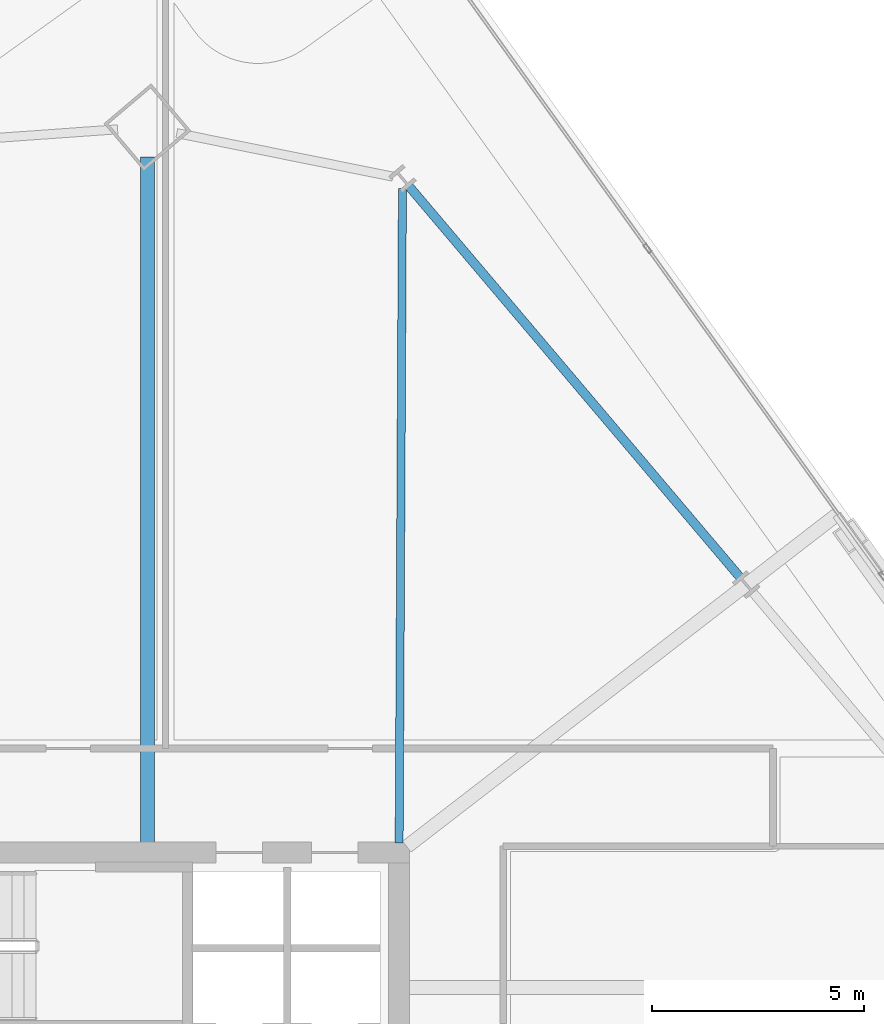
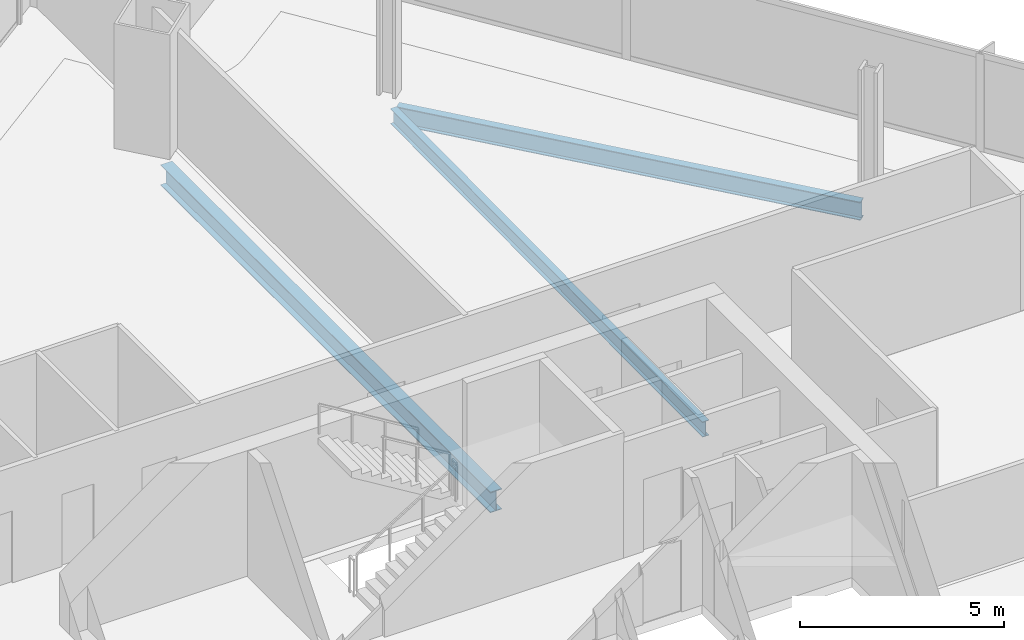
# One storey, part 20 of 33: 3 beams.
"""IFC4 building model written with IfcOpenShell, lengths in metres."""

from ifc_helpers import new_model, si_unit, direction, frame, origin, origin_2d, place, context, subcontext, project, spatial, i_section, extrude, material, material_profile, profile_set, type_object, element, save


model = new_model("IFC4")

# Units and contexts
model_context = context("Model", 3, precision=1e-05, world=origin(), true_north=direction((0.0, 1.0)))
body_context = subcontext(model_context, "Body", "Model", "MODEL_VIEW")
ifc_project = project(units=[si_unit("LENGTHUNIT", "METRE"), si_unit("AREAUNIT", "SQUARE_METRE"), si_unit("VOLUMEUNIT", "CUBIC_METRE"), si_unit("PLANEANGLEUNIT", "RADIAN"), si_unit("MASSUNIT", "GRAM", prefix="KILO")], contexts=[model_context])

# Site, building, storey
site_placement = place(None, origin())
site = spatial("IfcSite", under=ifc_project, at=site_placement, CompositionType="ELEMENT")
building_placement = place(site_placement, origin())
building = spatial("IfcBuilding", under=site, at=building_placement, Name="Haldenkirk Collegiate Tower", CompositionType="ELEMENT")
storey_placement = place(building_placement, frame((0.0, 0.0, 148.199951171875)))
storey = spatial("IfcBuildingStorey", under=building, at=storey_placement, Name="L36", CompositionType="ELEMENT", Elevation=148.199951171875)

# Beams
ifc_material = material(Name="Steel ASTM A992 Grade 50", Category="steel")
ifc_material_profile_1 = material_profile(ifc_material, i_section(OverallWidth=0.324951171875, OverallDepth=0.615966796875, WebThickness=0.013916015625, FlangeThickness=0.021484375, at=origin_2d()), Name="W24X117")
ifc_profile_set_1 = profile_set([ifc_material_profile_1], Name="Steel ASTM A992 Grade 50")
beam_type_1 = type_object("IfcBeamType", Name="BM-GIRDER-W24X117", PredefinedType="BEAM", material=ifc_profile_set_1)
beam_1_placement = place(storey_placement, frame((39.076904296875, 50.3701171875, -0.597900390625), z_axis=(0.0, -1.0, 0.0), x_axis=(1.0, 0.0, 0.0)))
element("IfcBeam", 1, at=beam_1_placement, inside=storey, type_object=beam_type_1, Name="L36 primary floor girder 03", PredefinedType="BEAM", context=body_context, shape_type="SweptSolid", body=[
    extrude(i_section(OverallWidth=0.324951171875, OverallDepth=0.615966796875, WebThickness=0.013916015625, FlangeThickness=0.021484375, at=origin_2d()), origin(), (0.0, 0.0, 1.0), 16.14013671875),
])
ifc_material_profile_2 = material_profile(ifc_material, i_section(OverallWidth=0.18994140625, OverallDepth=0.45703125, WebThickness=0.009033203125, FlangeThickness=0.014404296875, at=origin_2d()), Name="W18X50")
ifc_profile_set_2 = profile_set([ifc_material_profile_2], Name="Steel ASTM A992 Grade 50")
beam_type_2 = type_object("IfcBeamType", Name="BM-JOIST-W18X50", PredefinedType="JOIST", material=ifc_profile_set_2)
beam_2_placement = place(storey_placement, frame((45.07861328125, 49.63623046875, -0.5185546875), z_axis=(-0.005023389964, -0.999987382697, 0.0), x_axis=(0.999987382697, -0.005023389964, 0.0)))
element("IfcBeam", 2, at=beam_2_placement, inside=storey, type_object=beam_type_2, Name="L36 composite floor joist 10", PredefinedType="JOIST", context=body_context, shape_type="SweptSolid", body=[
    extrude(i_section(OverallWidth=0.18994140625, OverallDepth=0.45703125, WebThickness=0.009033203125, FlangeThickness=0.014404296875, at=origin_2d()), origin(), (0.0, 0.0, 1.0), 15.406494140625),
])
ifc_material_profile_3 = material_profile(ifc_material, i_section(OverallWidth=0.2119140625, OverallDepth=0.5439453125, WebThickness=0.01318359375, FlangeThickness=0.021240234375, at=origin_2d()), Name="W21X83")
ifc_profile_set_3 = profile_set([ifc_material_profile_3], Name="Steel ASTM A992 Grade 50")
beam_type_3 = type_object("IfcBeamType", Name="BM-SPANDREL-W21X83", PredefinedType="SPANDREL", material=ifc_profile_set_3)
beam_3_placement = place(storey_placement, frame((53.023193359375, 40.482177734375, -0.56201171875), z_axis=(-0.646126367676, 0.763230448157, 0.0), x_axis=(-0.763230448157, -0.646126367676, 0.0)))
element("IfcBeam", 3, at=beam_3_placement, inside=storey, type_object=beam_type_3, Name="L36 perimeter spandrel beam 07", PredefinedType="SPANDREL", context=body_context, shape_type="SweptSolid", body=[
    extrude(i_section(OverallWidth=0.2119140625, OverallDepth=0.5439453125, WebThickness=0.01318359375, FlangeThickness=0.021240234375, at=origin_2d()), origin(), (0.0, 0.0, 1.0), 12.06494140625),
])

save(model, "model.ifc")
